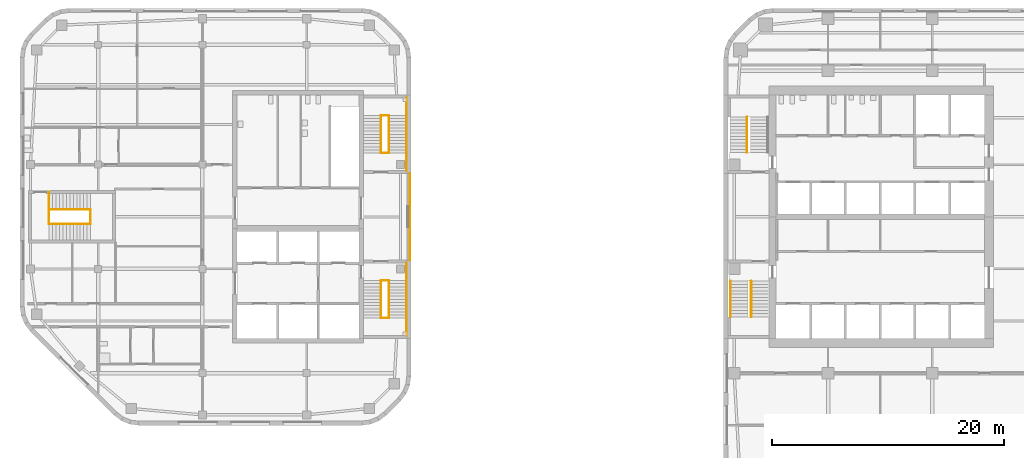
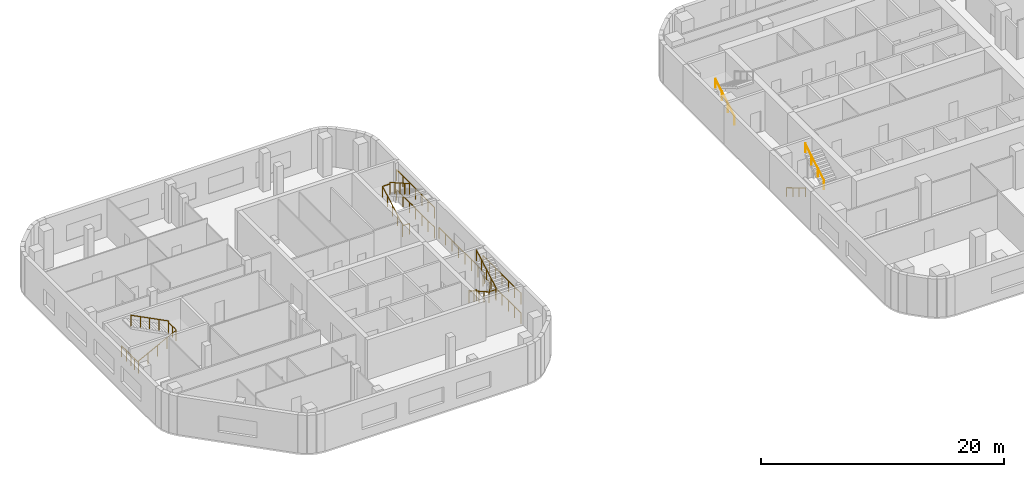
# One storey, part 12 of 14: 21 railings, 2 elements without a shape of their own.
"""IFC4 building model written with IfcOpenShell, lengths in metres."""

from ifc_helpers import new_model, si_unit, direction, frame, origin, origin_2d, place, context, subcontext, project, spatial, circle, extrude, material, type_object, element, aggregate, save


model = new_model("IFC4")

# Units and contexts
model_context = context("Model", 3, precision=1e-05, world=origin(), true_north=direction((0.0, 1.0)))
body_context = subcontext(model_context, "Body", "Model", "MODEL_VIEW")
ifc_project = project(units=[si_unit("LENGTHUNIT", "METRE"), si_unit("AREAUNIT", "SQUARE_METRE"), si_unit("VOLUMEUNIT", "CUBIC_METRE"), si_unit("PLANEANGLEUNIT", "RADIAN"), si_unit("MASSUNIT", "GRAM", prefix="KILO")], contexts=[model_context])

# Site, building, storey
site_placement = place(None, origin())
site = spatial("IfcSite", under=ifc_project, at=site_placement, CompositionType="ELEMENT")
building_placement = place(site_placement, origin())
building = spatial("IfcBuilding", under=site, at=building_placement, Name="Cinnabar Reach Civic Tower", CompositionType="ELEMENT")
storey_placement = place(building_placement, frame((0.0, 0.0, 108.0)))
storey = spatial("IfcBuildingStorey", under=building, at=storey_placement, Name="L25", CompositionType="ELEMENT", Elevation=108.0)

# Stair, railings
ifc_material_1 = material(Name="Concrete C40/50", Category="concrete")
stair_type = type_object("IfcStairType", Name="T1 Exit stair, half-turn", PredefinedType="HALF_TURN_STAIR", material=ifc_material_1)
stair_1_placement = place(storey_placement, origin())
stair_1 = element("IfcStair", 1, at=stair_1_placement, inside=storey, type_object=stair_type, Name="Stair T1-S1", PredefinedType="HALF_TURN_STAIR")
ifc_material_2 = material(Name="Stainless steel tube", Category="steel")
railing_type_1 = type_object("IfcRailingType", Name="T1 Stair handrail, stainless tube 48", PredefinedType="HANDRAIL", material=ifc_material_2)
railing_1_placement = place(storey_placement, frame((0.6, 25.95, 0.1667)))
railing_1 = element("IfcRailing", 2, at=railing_1_placement, type_object=railing_type_1, Name="T1-S1 handrail 1", PredefinedType="HANDRAIL", context=body_context, shape_type="SweptSolid", body=[
    extrude(circle(Radius=0.024, at=origin_2d()), frame((0.0, 0.0, 0.876), z_axis=(0.0, -0.859296971757, 0.511476992962), x_axis=(1.0, 0.0, 0.0)), (0.0, 0.0, 1.0), 3.5843),
    extrude(circle(Radius=0.021, at=origin_2d()), origin(), (0.0, 0.0, 1.0), 0.852),
    extrude(circle(Radius=0.021, at=origin_2d()), frame((0.0, -1.0267, 0.6111)), (0.0, 0.0, 1.0), 0.852),
    extrude(circle(Radius=0.021, at=origin_2d()), frame((0.0, -2.0533, 1.2222)), (0.0, 0.0, 1.0), 0.852),
    extrude(circle(Radius=0.021, at=origin_2d()), frame((0.0, -3.08, 1.8333)), (0.0, 0.0, 1.0), 0.852),
])
railing_2_placement = place(storey_placement, frame((2.375, 22.87, 2.1667)))
railing_2 = element("IfcRailing", 3, at=railing_2_placement, type_object=railing_type_1, Name="T1-S1 handrail 2", PredefinedType="HANDRAIL", context=body_context, shape_type="SweptSolid", body=[
    extrude(circle(Radius=0.024, at=origin_2d()), frame((0.0, 0.0, 0.876), z_axis=(0.0, 0.859296971757, 0.511476992962), x_axis=(-1.0, 0.0, 0.0)), (0.0, 0.0, 1.0), 3.5843),
    extrude(circle(Radius=0.021, at=origin_2d()), origin(), (0.0, 0.0, 1.0), 0.852),
    extrude(circle(Radius=0.021, at=origin_2d()), frame((0.0, 1.0267, 0.6111)), (0.0, 0.0, 1.0), 0.852),
    extrude(circle(Radius=0.021, at=origin_2d()), frame((0.0, 2.0533, 1.2222)), (0.0, 0.0, 1.0), 0.852),
    extrude(circle(Radius=0.021, at=origin_2d()), frame((0.0, 3.08, 1.8333)), (0.0, 0.0, 1.0), 0.852),
])
aggregate(stair_1, [railing_1, railing_2])

# Stair, railing
stair_2_placement = place(storey_placement, origin())
stair_2 = element("IfcStair", 4, at=stair_2_placement, inside=storey, type_object=stair_type, Name="Stair T1-S2", PredefinedType="HALF_TURN_STAIR")
railing_3_placement = place(storey_placement, frame((2.025, 37.05, 0.1667)))
railing_3 = element("IfcRailing", 5, at=railing_3_placement, type_object=railing_type_1, Name="T1-S2 handrail 1", PredefinedType="HANDRAIL", context=body_context, shape_type="SweptSolid", body=[
    extrude(circle(Radius=0.024, at=origin_2d()), frame((0.0, 0.0, 0.876), z_axis=(0.0, 0.859296971757, 0.511476992962), x_axis=(-1.0, 0.0, 0.0)), (0.0, 0.0, 1.0), 3.5843),
    extrude(circle(Radius=0.021, at=origin_2d()), origin(), (0.0, 0.0, 1.0), 0.852),
    extrude(circle(Radius=0.021, at=origin_2d()), frame((0.0, 1.0267, 0.6111)), (0.0, 0.0, 1.0), 0.852),
    extrude(circle(Radius=0.021, at=origin_2d()), frame((0.0, 2.0533, 1.2222)), (0.0, 0.0, 1.0), 0.852),
    extrude(circle(Radius=0.021, at=origin_2d()), frame((0.0, 3.08, 1.8333)), (0.0, 0.0, 1.0), 0.852),
])
aggregate(stair_2, [railing_3])

# Railings
ifc_material_3 = material(Name="Stainless steel", Category="steel")
railing_type_2 = type_object("IfcRailingType", Name="T2 Stair guard 1100", PredefinedType="GUARDRAIL", material=ifc_material_3)
railing_4_placement = place(storey_placement, frame((-27.1, 27.75, 0.0)))
element("IfcRailing", 6, at=railing_4_placement, inside=storey, type_object=railing_type_2, Name="Corridor end guard", PredefinedType="GUARDRAIL", context=body_context, shape_type="SweptSolid", body=[
    extrude(circle(Radius=0.024, at=origin_2d()), frame((0.0, 0.0, 1.076), z_axis=(0.0, 1.0, 0.0), x_axis=(-1.0, 0.0, 0.0)), (0.0, 0.0, 1.0), 7.5),
    extrude(circle(Radius=0.021, at=origin_2d()), origin(), (0.0, 0.0, 1.0), 1.052),
    extrude(circle(Radius=0.021, at=origin_2d()), frame((0.0, 1.0714, 0.0)), (0.0, 0.0, 1.0), 1.052),
    extrude(circle(Radius=0.021, at=origin_2d()), frame((0.0, 2.1429, 0.0)), (0.0, 0.0, 1.0), 1.052),
    extrude(circle(Radius=0.021, at=origin_2d()), frame((0.0, 3.2143, 0.0)), (0.0, 0.0, 1.0), 1.052),
    extrude(circle(Radius=0.021, at=origin_2d()), frame((0.0, 4.2857, 0.0)), (0.0, 0.0, 1.0), 1.052),
    extrude(circle(Radius=0.021, at=origin_2d()), frame((0.0, 5.3571, 0.0)), (0.0, 0.0, 1.0), 1.052),
    extrude(circle(Radius=0.021, at=origin_2d()), frame((0.0, 6.4286, 0.0)), (0.0, 0.0, 1.0), 1.052),
    extrude(circle(Radius=0.021, at=origin_2d()), frame((0.0, 7.5, 0.0)), (0.0, 0.0, 1.0), 1.052),
])
for number, where, name in (
    (7, (-27.4, 21.25, 0.0), "Stair guard 1"),
    (8, (-27.4, 21.25, 2.0), "Stair guard 1"),
):
    element("IfcRailing", number, at=place(storey_placement, frame(where)), inside=storey, type_object=railing_type_2, Name=name, PredefinedType="GUARDRAIL", context=body_context, shape_type="SweptSolid", body=[
        extrude(circle(Radius=0.024, at=origin_2d()), frame((0.0, 0.0, 1.076), z_axis=(0.0, 1.0, 0.0), x_axis=(-1.0, 0.0, 0.0)), (0.0, 0.0, 1.0), 6.25),
        extrude(circle(Radius=0.021, at=origin_2d()), origin(), (0.0, 0.0, 1.0), 1.052),
        extrude(circle(Radius=0.021, at=origin_2d()), frame((0.0, 1.0417, 0.0)), (0.0, 0.0, 1.0), 1.052),
        extrude(circle(Radius=0.021, at=origin_2d()), frame((0.0, 2.0833, 0.0)), (0.0, 0.0, 1.0), 1.052),
        extrude(circle(Radius=0.021, at=origin_2d()), frame((0.0, 3.125, 0.0)), (0.0, 0.0, 1.0), 1.052),
        extrude(circle(Radius=0.021, at=origin_2d()), frame((0.0, 4.1667, 0.0)), (0.0, 0.0, 1.0), 1.052),
        extrude(circle(Radius=0.021, at=origin_2d()), frame((0.0, 5.2083, 0.0)), (0.0, 0.0, 1.0), 1.052),
        extrude(circle(Radius=0.021, at=origin_2d()), frame((0.0, 6.25, 0.0)), (0.0, 0.0, 1.0), 1.052),
    ])
for number, where, name in (
    (9, (-29.6, 26.0, 0.0), "Stair guard 1"),
    (10, (-29.6, 22.75, 2.0), "Stair guard 1"),
):
    element("IfcRailing", number, at=place(storey_placement, frame(where)), inside=storey, type_object=railing_type_2, Name=name, PredefinedType="GUARDRAIL", context=body_context, shape_type="SweptSolid", body=[
        extrude(circle(Radius=0.024, at=origin_2d()), frame((0.0, 0.0, 1.076), z_axis=(1.0, 0.0, 0.0), x_axis=(0.0, 1.0, 0.0)), (0.0, 0.0, 1.0), 0.7),
        extrude(circle(Radius=0.021, at=origin_2d()), origin(), (0.0, 0.0, 1.0), 1.052),
        extrude(circle(Radius=0.021, at=origin_2d()), frame((0.7, 0.0, 0.0)), (0.0, 0.0, 1.0), 1.052),
    ])
railing_5_placement = place(storey_placement, frame((-29.6, 26.0, 0.1538)))
element("IfcRailing", 11, at=railing_5_placement, inside=storey, type_object=railing_type_2, Name="Stair guard 1", PredefinedType="GUARDRAIL", context=body_context, shape_type="SweptSolid", body=[
    extrude(circle(Radius=0.024, at=origin_2d()), frame((0.0, 0.0, 1.076), z_axis=(0.0, -0.869501474428, 0.493930345258), x_axis=(1.0, 0.0, 0.0)), (0.0, 0.0, 1.0), 3.7378),
    extrude(circle(Radius=0.021, at=origin_2d()), origin(), (0.0, 0.0, 1.0), 1.052),
    extrude(circle(Radius=0.021, at=origin_2d()), frame((0.0, -0.8125, 0.4615)), (0.0, 0.0, 1.0), 1.052),
    extrude(circle(Radius=0.021, at=origin_2d()), frame((0.0, -1.625, 0.9231)), (0.0, 0.0, 1.0), 1.052),
    extrude(circle(Radius=0.021, at=origin_2d()), frame((0.0, -2.4375, 1.3846)), (0.0, 0.0, 1.0), 1.052),
    extrude(circle(Radius=0.021, at=origin_2d()), frame((0.0, -3.25, 1.8462)), (0.0, 0.0, 1.0), 1.052),
])
railing_6_placement = place(storey_placement, frame((-28.9, 22.75, 2.1538)))
element("IfcRailing", 12, at=railing_6_placement, inside=storey, type_object=railing_type_2, Name="Stair guard 1", PredefinedType="GUARDRAIL", context=body_context, shape_type="SweptSolid", body=[
    extrude(circle(Radius=0.024, at=origin_2d()), frame((0.0, 0.0, 1.076), z_axis=(0.0, 0.869501474428, 0.493930345258), x_axis=(-1.0, 0.0, 0.0)), (0.0, 0.0, 1.0), 3.7378),
    extrude(circle(Radius=0.021, at=origin_2d()), origin(), (0.0, 0.0, 1.0), 1.052),
    extrude(circle(Radius=0.021, at=origin_2d()), frame((0.0, 0.8125, 0.4615)), (0.0, 0.0, 1.0), 1.052),
    extrude(circle(Radius=0.021, at=origin_2d()), frame((0.0, 1.625, 0.9231)), (0.0, 0.0, 1.0), 1.052),
    extrude(circle(Radius=0.021, at=origin_2d()), frame((0.0, 2.4375, 1.3846)), (0.0, 0.0, 1.0), 1.052),
    extrude(circle(Radius=0.021, at=origin_2d()), frame((0.0, 3.25, 1.8462)), (0.0, 0.0, 1.0), 1.052),
])
for number, where, name in (
    (13, (-27.4, 35.5, 0.0), "Stair guard 2"),
    (14, (-27.4, 35.5, 2.0), "Stair guard 2"),
):
    element("IfcRailing", number, at=place(storey_placement, frame(where)), inside=storey, type_object=railing_type_2, Name=name, PredefinedType="GUARDRAIL", context=body_context, shape_type="SweptSolid", body=[
        extrude(circle(Radius=0.024, at=origin_2d()), frame((0.0, 0.0, 1.076), z_axis=(0.0, 1.0, 0.0), x_axis=(-1.0, 0.0, 0.0)), (0.0, 0.0, 1.0), 6.25),
        extrude(circle(Radius=0.021, at=origin_2d()), origin(), (0.0, 0.0, 1.0), 1.052),
        extrude(circle(Radius=0.021, at=origin_2d()), frame((0.0, 1.0417, 0.0)), (0.0, 0.0, 1.0), 1.052),
        extrude(circle(Radius=0.021, at=origin_2d()), frame((0.0, 2.0833, 0.0)), (0.0, 0.0, 1.0), 1.052),
        extrude(circle(Radius=0.021, at=origin_2d()), frame((0.0, 3.125, 0.0)), (0.0, 0.0, 1.0), 1.052),
        extrude(circle(Radius=0.021, at=origin_2d()), frame((0.0, 4.1667, 0.0)), (0.0, 0.0, 1.0), 1.052),
        extrude(circle(Radius=0.021, at=origin_2d()), frame((0.0, 5.2083, 0.0)), (0.0, 0.0, 1.0), 1.052),
        extrude(circle(Radius=0.021, at=origin_2d()), frame((0.0, 6.25, 0.0)), (0.0, 0.0, 1.0), 1.052),
    ])
for number, where, name in (
    (15, (-29.6, 37.0, 0.0), "Stair guard 2"),
    (16, (-29.6, 40.25, 2.0), "Stair guard 2"),
):
    element("IfcRailing", number, at=place(storey_placement, frame(where)), inside=storey, type_object=railing_type_2, Name=name, PredefinedType="GUARDRAIL", context=body_context, shape_type="SweptSolid", body=[
        extrude(circle(Radius=0.024, at=origin_2d()), frame((0.0, 0.0, 1.076), z_axis=(1.0, 0.0, 0.0), x_axis=(0.0, 1.0, 0.0)), (0.0, 0.0, 1.0), 0.7),
        extrude(circle(Radius=0.021, at=origin_2d()), origin(), (0.0, 0.0, 1.0), 1.052),
        extrude(circle(Radius=0.021, at=origin_2d()), frame((0.7, 0.0, 0.0)), (0.0, 0.0, 1.0), 1.052),
    ])
railing_7_placement = place(storey_placement, frame((-29.6, 37.0, 0.1538)))
element("IfcRailing", 17, at=railing_7_placement, inside=storey, type_object=railing_type_2, Name="Stair guard 2", PredefinedType="GUARDRAIL", context=body_context, shape_type="SweptSolid", body=[
    extrude(circle(Radius=0.024, at=origin_2d()), frame((0.0, 0.0, 1.076), z_axis=(0.0, 0.869501474428, 0.493930345258), x_axis=(-1.0, 0.0, 0.0)), (0.0, 0.0, 1.0), 3.7378),
    extrude(circle(Radius=0.021, at=origin_2d()), origin(), (0.0, 0.0, 1.0), 1.052),
    extrude(circle(Radius=0.021, at=origin_2d()), frame((0.0, 0.8125, 0.4615)), (0.0, 0.0, 1.0), 1.052),
    extrude(circle(Radius=0.021, at=origin_2d()), frame((0.0, 1.625, 0.9231)), (0.0, 0.0, 1.0), 1.052),
    extrude(circle(Radius=0.021, at=origin_2d()), frame((0.0, 2.4375, 1.3846)), (0.0, 0.0, 1.0), 1.052),
    extrude(circle(Radius=0.021, at=origin_2d()), frame((0.0, 3.25, 1.8462)), (0.0, 0.0, 1.0), 1.052),
])
railing_8_placement = place(storey_placement, frame((-28.9, 40.25, 2.1538)))
element("IfcRailing", 18, at=railing_8_placement, inside=storey, type_object=railing_type_2, Name="Stair guard 2", PredefinedType="GUARDRAIL", context=body_context, shape_type="SweptSolid", body=[
    extrude(circle(Radius=0.024, at=origin_2d()), frame((0.0, 0.0, 1.076), z_axis=(0.0, -0.869501474428, 0.493930345258), x_axis=(1.0, 0.0, 0.0)), (0.0, 0.0, 1.0), 3.7378),
    extrude(circle(Radius=0.021, at=origin_2d()), origin(), (0.0, 0.0, 1.0), 1.052),
    extrude(circle(Radius=0.021, at=origin_2d()), frame((0.0, -0.8125, 0.4615)), (0.0, 0.0, 1.0), 1.052),
    extrude(circle(Radius=0.021, at=origin_2d()), frame((0.0, -1.625, 0.9231)), (0.0, 0.0, 1.0), 1.052),
    extrude(circle(Radius=0.021, at=origin_2d()), frame((0.0, -2.4375, 1.3846)), (0.0, 0.0, 1.0), 1.052),
    extrude(circle(Radius=0.021, at=origin_2d()), frame((0.0, -3.25, 1.8462)), (0.0, 0.0, 1.0), 1.052),
])
railing_9_placement = place(storey_placement, frame((-58.25, 30.875, 0.0)))
element("IfcRailing", 19, at=railing_9_placement, inside=storey, type_object=railing_type_2, Name="Stair guard 3", PredefinedType="GUARDRAIL", context=body_context, shape_type="SweptSolid", body=[
    extrude(circle(Radius=0.024, at=origin_2d()), frame((0.0, 0.0, 1.076), z_axis=(0.0, 1.0, 0.0), x_axis=(-1.0, 0.0, 0.0)), (0.0, 0.0, 1.0), 1.25),
    extrude(circle(Radius=0.021, at=origin_2d()), origin(), (0.0, 0.0, 1.0), 1.052),
    extrude(circle(Radius=0.021, at=origin_2d()), frame((0.0, 0.625, 0.0)), (0.0, 0.0, 1.0), 1.052),
    extrude(circle(Radius=0.021, at=origin_2d()), frame((0.0, 1.25, 0.0)), (0.0, 0.0, 1.0), 1.052),
])
railing_10_placement = place(storey_placement, frame((-58.25, 32.125, 0.0)))
element("IfcRailing", 20, at=railing_10_placement, inside=storey, type_object=railing_type_2, Name="Stair guard 3", PredefinedType="GUARDRAIL", context=body_context, shape_type="SweptSolid", body=[
    extrude(circle(Radius=0.024, at=origin_2d()), frame((0.0, 0.0, 1.076), z_axis=(0.0, 1.0, 0.0), x_axis=(-1.0, 0.0, 0.0)), (0.0, 0.0, 1.0), 1.5),
    extrude(circle(Radius=0.021, at=origin_2d()), origin(), (0.0, 0.0, 1.0), 1.052),
    extrude(circle(Radius=0.021, at=origin_2d()), frame((0.0, 0.75, 0.0)), (0.0, 0.0, 1.0), 1.052),
    extrude(circle(Radius=0.021, at=origin_2d()), frame((0.0, 1.5, 0.0)), (0.0, 0.0, 1.0), 1.052),
])
railing_11_placement = place(storey_placement, frame((-54.65, 30.875, 2.0)))
element("IfcRailing", 21, at=railing_11_placement, inside=storey, type_object=railing_type_2, Name="Stair guard 3", PredefinedType="GUARDRAIL", context=body_context, shape_type="SweptSolid", body=[
    extrude(circle(Radius=0.024, at=origin_2d()), frame((0.0, 0.0, 1.076), z_axis=(0.0, 1.0, 0.0), x_axis=(-1.0, 0.0, 0.0)), (0.0, 0.0, 1.0), 1.25),
    extrude(circle(Radius=0.021, at=origin_2d()), origin(), (0.0, 0.0, 1.0), 1.052),
    extrude(circle(Radius=0.021, at=origin_2d()), frame((0.0, 0.625, 0.0)), (0.0, 0.0, 1.0), 1.052),
    extrude(circle(Radius=0.021, at=origin_2d()), frame((0.0, 1.25, 0.0)), (0.0, 0.0, 1.0), 1.052),
])
railing_12_placement = place(storey_placement, frame((-58.25, 30.875, 0.1538)))
element("IfcRailing", 22, at=railing_12_placement, inside=storey, type_object=railing_type_2, Name="Stair guard 3", PredefinedType="GUARDRAIL", context=body_context, shape_type="SweptSolid", body=[
    extrude(circle(Radius=0.024, at=origin_2d()), frame((0.0, 0.0, 1.076), z_axis=(0.889812830738, 0.0, 0.45632568003), x_axis=(0.0, 1.0, 0.0)), (0.0, 0.0, 1.0), 4.0458),
    extrude(circle(Radius=0.021, at=origin_2d()), origin(), (0.0, 0.0, 1.0), 1.052),
    extrude(circle(Radius=0.021, at=origin_2d()), frame((0.9, 0.0, 0.4615)), (0.0, 0.0, 1.0), 1.052),
    extrude(circle(Radius=0.021, at=origin_2d()), frame((1.8, 0.0, 0.9231)), (0.0, 0.0, 1.0), 1.052),
    extrude(circle(Radius=0.021, at=origin_2d()), frame((2.7, 0.0, 1.3846)), (0.0, 0.0, 1.0), 1.052),
    extrude(circle(Radius=0.021, at=origin_2d()), frame((3.6, 0.0, 1.8462)), (0.0, 0.0, 1.0), 1.052),
])
railing_13_placement = place(storey_placement, frame((-54.65, 32.125, 2.1538)))
element("IfcRailing", 23, at=railing_13_placement, inside=storey, type_object=railing_type_2, Name="Stair guard 3", PredefinedType="GUARDRAIL", context=body_context, shape_type="SweptSolid", body=[
    extrude(circle(Radius=0.024, at=origin_2d()), frame((0.0, 0.0, 1.076), z_axis=(-0.889812830738, 0.0, 0.45632568003), x_axis=(0.0, -1.0, 0.0)), (0.0, 0.0, 1.0), 4.0458),
    extrude(circle(Radius=0.021, at=origin_2d()), origin(), (0.0, 0.0, 1.0), 1.052),
    extrude(circle(Radius=0.021, at=origin_2d()), frame((-0.9, 0.0, 0.4615)), (0.0, 0.0, 1.0), 1.052),
    extrude(circle(Radius=0.021, at=origin_2d()), frame((-1.8, 0.0, 0.9231)), (0.0, 0.0, 1.0), 1.052),
    extrude(circle(Radius=0.021, at=origin_2d()), frame((-2.7, 0.0, 1.3846)), (0.0, 0.0, 1.0), 1.052),
    extrude(circle(Radius=0.021, at=origin_2d()), frame((-3.6, 0.0, 1.8462)), (0.0, 0.0, 1.0), 1.052),
])

save(model, "model.ifc")
